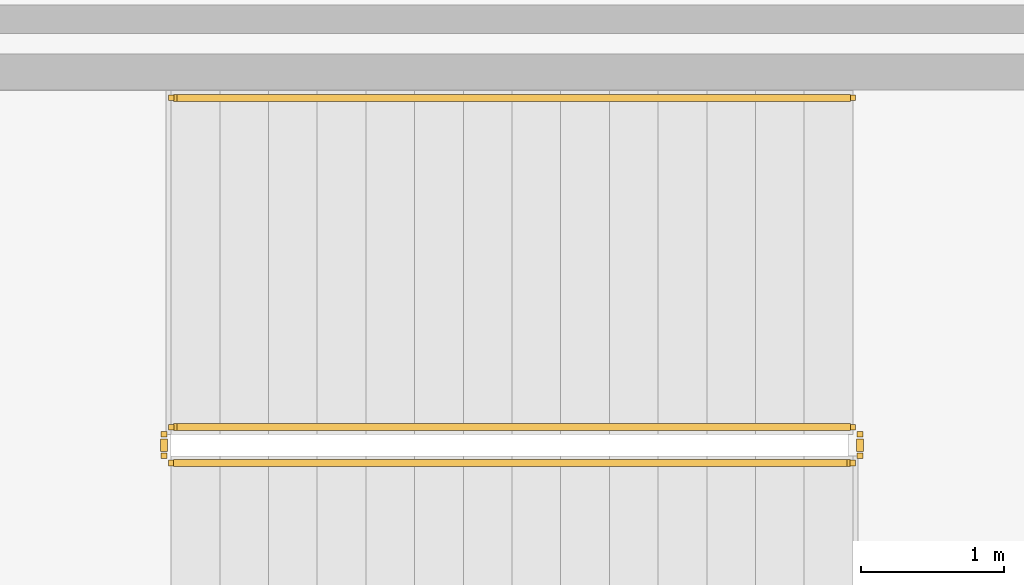
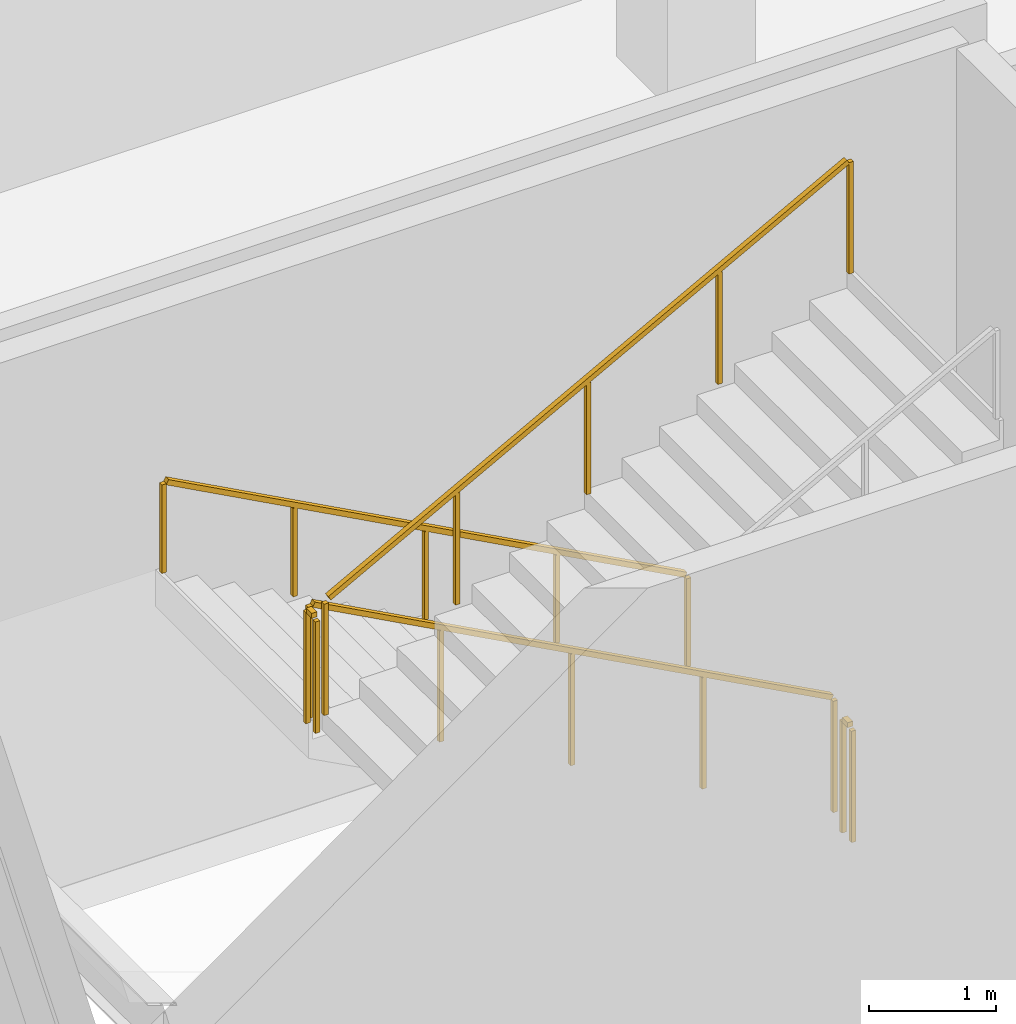
# One storey, part 26 of 27: 5 railings.
"""IFC4 building model written with IfcOpenShell, lengths in metres."""

from ifc_helpers import new_model, si_unit, direction, frame, origin, origin_2d, place, context, subcontext, project, spatial, rectangle, extrude, material, type_object, element, save


model = new_model("IFC4")

# Units and contexts
model_context = context("Model", 3, precision=1e-05, world=origin(), true_north=direction((0.0, 1.0)))
body_context = subcontext(model_context, "Body", "Model", "MODEL_VIEW")
ifc_project = project(units=[si_unit("LENGTHUNIT", "METRE"), si_unit("AREAUNIT", "SQUARE_METRE"), si_unit("VOLUMEUNIT", "CUBIC_METRE"), si_unit("PLANEANGLEUNIT", "RADIAN"), si_unit("MASSUNIT", "GRAM", prefix="KILO")], contexts=[model_context])

# Site, building, storey
site_placement = place(None, origin())
site = spatial("IfcSite", under=ifc_project, at=site_placement, CompositionType="ELEMENT")
building_placement = place(site_placement, origin())
building = spatial("IfcBuilding", under=site, at=building_placement, Name="Tharavind Bronze Gate", CompositionType="ELEMENT")
storey_placement = place(building_placement, origin())
storey = spatial("IfcBuildingStorey", under=building, at=storey_placement, Name="L00", CompositionType="ELEMENT", Elevation=0.0)

# Railings
ifc_material = material(Name="Brushed Bronze Alloy", Category="metal")
railing_type_1 = type_object("IfcRailingType", Name="STAIR BRONZE HANDRAIL 900", PredefinedType="HANDRAIL", material=ifc_material)
railing_1_placement = place(storey_placement, frame((26.0, 17.89990234375, 0.183349609375)))
element("IfcRailing", 1, at=railing_1_placement, inside=storey, type_object=railing_type_1, Name="L00 ST4 stair handrail 1", PredefinedType="HANDRAIL", context=body_context, shape_type="SweptSolid", body=[
    extrude(rectangle(XDim=0.048095703125, YDim=0.048095703125, at=origin_2d()), frame((-0.028076171875, 0.0, 0.89111328125), z_axis=(-0.880195524343, 0.0, 0.474611250316), x_axis=(0.0, -1.0, 0.0)), (0.0, 0.0, 1.0), 5.343994140625),
    extrude(rectangle(XDim=0.0400390625, YDim=0.0400390625, at=origin_2d()), origin(), (0.0, 0.0, 1.0), 0.847900390625),
    extrude(rectangle(XDim=0.0400390625, YDim=0.0400390625, at=origin_2d()), frame((-1.18994140625, 0.0, 0.6416015625)), (0.0, 0.0, 1.0), 0.847900390625),
    extrude(rectangle(XDim=0.0400390625, YDim=0.0400390625, at=origin_2d()), frame((-2.3798828125, 0.0, 1.283203125)), (0.0, 0.0, 1.0), 0.847900390625),
    extrude(rectangle(XDim=0.0400390625, YDim=0.0400390625, at=origin_2d()), frame((-3.570068359375, 0.0, 1.925048828125)), (0.0, 0.0, 1.0), 0.847900390625),
    extrude(rectangle(XDim=0.0400390625, YDim=0.0400390625, at=origin_2d()), frame((-4.760009765625, 0.0, 2.566650390625)), (0.0, 0.0, 1.0), 0.847900390625),
])
railing_type_2 = type_object("IfcRailingType", Name="STAIR WELL GUARD RAILING 1120", PredefinedType="GUARDRAIL", material=ifc_material)
railing_2_placement = place(storey_placement, frame((26.0, 15.60009765625, 0.183349609375)))
element("IfcRailing", 2, at=railing_2_placement, inside=storey, type_object=railing_type_2, Name="L00 ST4 stair guard 1", PredefinedType="GUARDRAIL", context=body_context, shape_type="SweptSolid", body=[
    extrude(rectangle(XDim=0.048095703125, YDim=0.048095703125, at=origin_2d()), frame((-0.028076171875, 0.0, 1.111328125), z_axis=(-0.880195524343, 0.0, 0.474611250316), x_axis=(0.0, -1.0, 0.0)), (0.0, 0.0, 1.0), 5.343994140625),
    extrude(rectangle(XDim=0.0400390625, YDim=0.0400390625, at=origin_2d()), origin(), (0.0, 0.0, 1.0), 1.068115234375),
    extrude(rectangle(XDim=0.0400390625, YDim=0.0400390625, at=origin_2d()), frame((-1.18994140625, 0.0, 0.6416015625)), (0.0, 0.0, 1.0), 1.068115234375),
    extrude(rectangle(XDim=0.0400390625, YDim=0.0400390625, at=origin_2d()), frame((-2.3798828125, 0.0, 1.283203125)), (0.0, 0.0, 1.0), 1.068115234375),
    extrude(rectangle(XDim=0.0400390625, YDim=0.0400390625, at=origin_2d()), frame((-3.570068359375, 0.0, 1.925048828125)), (0.0, 0.0, 1.0), 1.068115234375),
    extrude(rectangle(XDim=0.0400390625, YDim=0.0400390625, at=origin_2d()), frame((-4.760009765625, 0.0, 2.566650390625)), (0.0, 0.0, 1.0), 1.068115234375),
])
railing_3_placement = place(storey_placement, frame((21.18994140625, 15.550048828125, 2.75)))
element("IfcRailing", 3, at=railing_3_placement, inside=storey, type_object=railing_type_2, Name="L00 ST4 stair guard 2", PredefinedType="GUARDRAIL", context=body_context, shape_type="SweptSolid", body=[
    extrude(rectangle(XDim=0.048095703125, YDim=0.048095703125, at=origin_2d()), frame((0.0, -0.031982421875, 1.09619140625), z_axis=(0.0, -1.0, 0.0), x_axis=(1.0, 0.0, 0.0)), (0.0, 0.0, 1.0), 0.086181640625),
    extrude(rectangle(XDim=0.0400390625, YDim=0.0400390625, at=origin_2d()), origin(), (0.0, 0.0, 1.0), 1.068115234375),
    extrude(rectangle(XDim=0.0400390625, YDim=0.0400390625, at=origin_2d()), frame((0.0, -0.150146484375, 0.0)), (0.0, 0.0, 1.0), 1.068115234375),
])
railing_4_placement = place(storey_placement, frame((21.239990234375, 15.35009765625, 2.933349609375)))
element("IfcRailing", 4, at=railing_4_placement, inside=storey, type_object=railing_type_2, Name="L00 ST4 stair guard 3", PredefinedType="GUARDRAIL", context=body_context, shape_type="SweptSolid", body=[
    extrude(rectangle(XDim=0.048095703125, YDim=0.048095703125, at=origin_2d()), frame((0.028076171875, 0.0, 1.111328125), z_axis=(0.880195524343, 0.0, 0.474611250316), x_axis=(0.0, 1.0, 0.0)), (0.0, 0.0, 1.0), 5.343994140625),
    extrude(rectangle(XDim=0.0400390625, YDim=0.0400390625, at=origin_2d()), origin(), (0.0, 0.0, 1.0), 1.068115234375),
    extrude(rectangle(XDim=0.0400390625, YDim=0.0400390625, at=origin_2d()), frame((1.18994140625, 0.0, 0.6416015625)), (0.0, 0.0, 1.0), 1.068115234375),
    extrude(rectangle(XDim=0.0400390625, YDim=0.0400390625, at=origin_2d()), frame((2.3798828125, 0.0, 1.283203125)), (0.0, 0.0, 1.0), 1.068115234375),
    extrude(rectangle(XDim=0.0400390625, YDim=0.0400390625, at=origin_2d()), frame((3.570068359375, 0.0, 1.925048828125)), (0.0, 0.0, 1.0), 1.068115234375),
    extrude(rectangle(XDim=0.0400390625, YDim=0.0400390625, at=origin_2d()), frame((4.760009765625, 0.0, 2.566650390625)), (0.0, 0.0, 1.0), 1.068115234375),
])
railing_5_placement = place(storey_placement, frame((26.050048828125, 15.550048828125, 0.0)))
element("IfcRailing", 5, at=railing_5_placement, inside=storey, type_object=railing_type_2, Name="L00 ST4 stair guard 4", PredefinedType="GUARDRAIL", context=body_context, shape_type="SweptSolid", body=[
    extrude(rectangle(XDim=0.048095703125, YDim=0.048095703125, at=origin_2d()), frame((0.0, -0.031982421875, 1.09619140625), z_axis=(0.0, -1.0, 0.0), x_axis=(1.0, 0.0, 0.0)), (0.0, 0.0, 1.0), 0.086181640625),
    extrude(rectangle(XDim=0.0400390625, YDim=0.0400390625, at=origin_2d()), origin(), (0.0, 0.0, 1.0), 1.068115234375),
    extrude(rectangle(XDim=0.0400390625, YDim=0.0400390625, at=origin_2d()), frame((0.0, -0.150146484375, 0.0)), (0.0, 0.0, 1.0), 1.068115234375),
])

save(model, "model.ifc")
